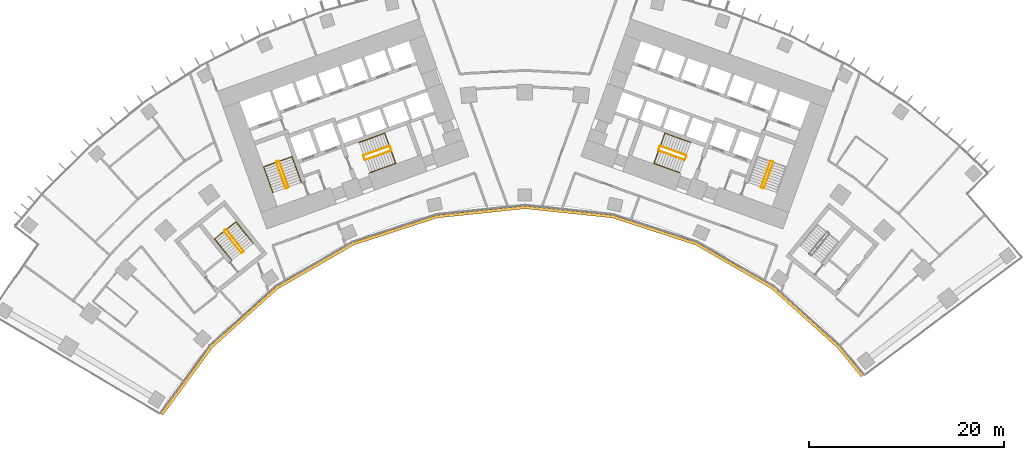
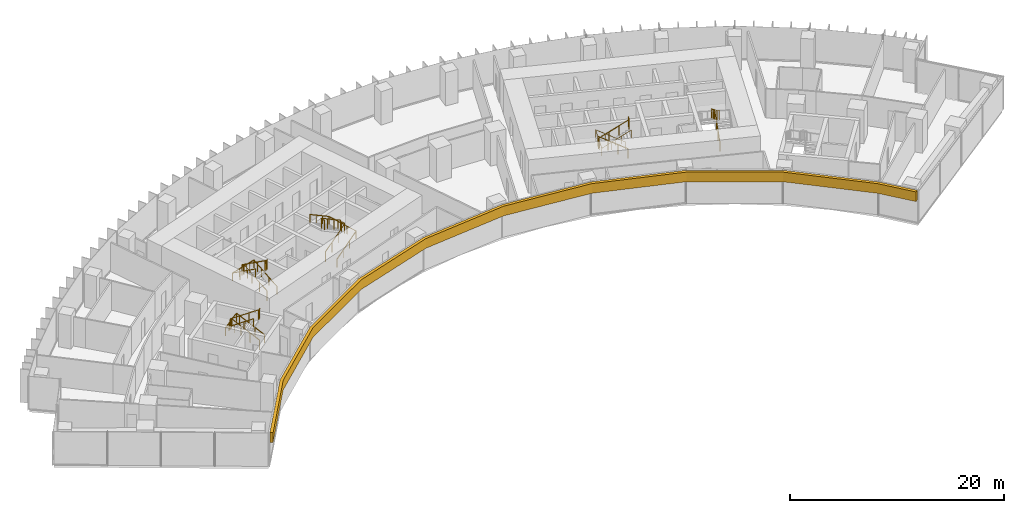
# One storey, part 23 of 24: 14 railings, 1 covering.
"""IFC4 building model written with IfcOpenShell, lengths in metres."""

from ifc_helpers import new_model, si_unit, direction, frame, origin, origin_2d, place, context, subcontext, project, spatial, polyline, circle, outline, extrude, material, layer, layer_set, type_object, element, save


model = new_model("IFC4")

# Units and contexts
model_context = context("Model", 3, precision=1e-05, world=origin(), true_north=direction((0.0, 1.0)))
body_context = subcontext(model_context, "Body", "Model", "MODEL_VIEW")
ifc_project = project(units=[si_unit("LENGTHUNIT", "METRE"), si_unit("AREAUNIT", "SQUARE_METRE"), si_unit("VOLUMEUNIT", "CUBIC_METRE"), si_unit("PLANEANGLEUNIT", "RADIAN"), si_unit("MASSUNIT", "GRAM", prefix="KILO")], contexts=[model_context])

# Site, building, storey
site_placement = place(None, origin())
site = spatial("IfcSite", under=ifc_project, at=site_placement, CompositionType="ELEMENT")
building_placement = place(site_placement, origin())
building = spatial("IfcBuilding", under=site, at=building_placement, Name="Stone Belt Terrace Tower", CompositionType="ELEMENT")
storey_placement = place(building_placement, frame((0.0, 0.0, 75.60009765625)))
storey = spatial("IfcBuildingStorey", under=building, at=storey_placement, Name="L18", CompositionType="ELEMENT", Elevation=75.60009765625)

# Railings
ifc_material_1 = material(Name="Structural steel C345", Category="steel")
railing_type_1 = type_object("IfcRailingType", Name="Stair guard 1100", PredefinedType="GUARDRAIL", material=ifc_material_1)
railing_1_placement = place(storey_placement, frame((-24.2119140625, 45.276123046875, 0.172607421875)))
element("IfcRailing", 1, at=railing_1_placement, inside=storey, type_object=railing_type_1, Name="L18 ST1A stair guard 1", PredefinedType="GUARDRAIL", context=body_context, shape_type="SweptSolid", body=[
    extrude(circle(Radius=0.02392578125, at=origin_2d()), frame((0.0, 0.0, 1.076171875), z_axis=(-0.288228637646, 0.800791768495, 0.525030280985), x_axis=(-0.940908529223, -0.338660803216, 0.0)), (0.0, 0.0, 1.0), 3.289794921875),
    extrude(circle(Radius=0.02392578125, at=origin_2d()), frame((-0.9482421875, 2.634521484375, 2.80322265625), z_axis=(-0.905209821074, 0.424964916, 0.0), x_axis=(-0.424964916, -0.905209821074, 0.0)), (0.0, 0.0, 1.0), 0.070556640625),
    extrude(circle(Radius=0.02392578125, at=origin_2d()), frame((-1.01220703125, 2.66455078125, 2.80322265625), z_axis=(-0.941105063269, -0.338114270461, 0.0), x_axis=(0.338114270461, -0.941105063269, 0.0)), (0.0, 0.0, 1.0), 0.199951171875),
    extrude(circle(Radius=0.02099609375, at=origin_2d()), origin(), (0.0, 0.0, 1.0), 1.052001953125),
    extrude(circle(Radius=0.02099609375, at=origin_2d()), frame((-0.316162109375, 0.878173828125, 0.57568359375)), (0.0, 0.0, 1.0), 1.052001953125),
    extrude(circle(Radius=0.02099609375, at=origin_2d()), frame((-0.632080078125, 1.75634765625, 1.151611328125)), (0.0, 0.0, 1.0), 1.052001953125),
    extrude(circle(Radius=0.02099609375, at=origin_2d()), frame((-0.9482421875, 2.634521484375, 1.727294921875)), (0.0, 0.0, 1.0), 1.052001953125),
    extrude(circle(Radius=0.02099609375, at=origin_2d()), frame((-1.01220703125, 2.66455078125, 1.727294921875)), (0.0, 0.0, 1.0), 1.052001953125),
    extrude(circle(Radius=0.02099609375, at=origin_2d()), frame((-1.200439453125, 2.596923828125, 1.727294921875)), (0.0, 0.0, 1.0), 1.052001953125),
])
railing_2_placement = place(storey_placement, frame((-25.4423828125, 47.80908203125, 2.072509765625)))
element("IfcRailing", 2, at=railing_2_placement, inside=storey, type_object=railing_type_1, Name="L18 ST1A stair guard 2", PredefinedType="GUARDRAIL", context=body_context, shape_type="SweptSolid", body=[
    extrude(circle(Radius=0.02392578125, at=origin_2d()), frame((0.0, 0.0, 1.076171875), z_axis=(0.288228637646, -0.800791768495, 0.525030280985), x_axis=(0.940908529223, 0.338660803216, 0.0)), (0.0, 0.0, 1.0), 3.289794921875),
    extrude(circle(Radius=0.02392578125, at=origin_2d()), frame((0.9482421875, -2.634521484375, 2.80322265625), z_axis=(0.903878284585, -0.427789722475, 0.0), x_axis=(0.427789722475, 0.903878284585, 0.0)), (0.0, 0.0, 1.0), 0.07080078125),
    extrude(circle(Radius=0.02392578125, at=origin_2d()), frame((1.01220703125, -2.664794921875, 2.80322265625), z_axis=(0.940575576748, 0.339584429008, 0.0), x_axis=(-0.339584429008, 0.940575576748, 0.0)), (0.0, 0.0, 1.0), 0.199951171875),
    extrude(circle(Radius=0.02099609375, at=origin_2d()), origin(), (0.0, 0.0, 1.0), 1.052001953125),
    extrude(circle(Radius=0.02099609375, at=origin_2d()), frame((0.316162109375, -0.878173828125, 0.57568359375)), (0.0, 0.0, 1.0), 1.052001953125),
    extrude(circle(Radius=0.02099609375, at=origin_2d()), frame((0.632080078125, -1.75634765625, 1.151611328125)), (0.0, 0.0, 1.0), 1.052001953125),
    extrude(circle(Radius=0.02099609375, at=origin_2d()), frame((0.9482421875, -2.634521484375, 1.727294921875)), (0.0, 0.0, 1.0), 1.052001953125),
    extrude(circle(Radius=0.02099609375, at=origin_2d()), frame((1.01220703125, -2.664794921875, 1.727294921875)), (0.0, 0.0, 1.0), 1.052001953125),
    extrude(circle(Radius=0.02099609375, at=origin_2d()), frame((1.2001953125, -2.596923828125, 1.727294921875)), (0.0, 0.0, 1.0), 1.052001953125),
])
railing_3_placement = place(storey_placement, frame((-16.33837890625, 48.056640625, 0.172607421875)))
element("IfcRailing", 3, at=railing_3_placement, inside=storey, type_object=railing_type_1, Name="L18 ST2A stair guard 1", PredefinedType="GUARDRAIL", context=body_context, shape_type="SweptSolid", body=[
    extrude(circle(Radius=0.02392578125, at=origin_2d()), frame((0.0, 0.0, 1.076171875), z_axis=(0.800808895155, 0.288160591223, 0.52504150989), x_axis=(-0.338583606334, 0.940936311087, 0.0)), (0.0, 0.0, 1.0), 3.289794921875),
    extrude(circle(Radius=0.02392578125, at=origin_2d()), frame((2.634521484375, 0.947998046875, 2.80322265625), z_axis=(0.427789722475, 0.903878284585, 0.0), x_axis=(-0.903878284585, 0.427789722475, 0.0)), (0.0, 0.0, 1.0), 0.07080078125),
    extrude(circle(Radius=0.02392578125, at=origin_2d()), frame((2.664794921875, 1.011962890625, 2.80322265625), z_axis=(-0.338654645739, 0.940910745459, 0.0), x_axis=(-0.940910745459, -0.338654645739, 0.0)), (0.0, 0.0, 1.0), 0.400146484375),
    extrude(circle(Radius=0.02099609375, at=origin_2d()), origin(), (0.0, 0.0, 1.0), 1.052001953125),
    extrude(circle(Radius=0.02099609375, at=origin_2d()), frame((0.878173828125, 0.31591796875, 0.57568359375)), (0.0, 0.0, 1.0), 1.052001953125),
    extrude(circle(Radius=0.02099609375, at=origin_2d()), frame((1.75634765625, 0.632080078125, 1.151611328125)), (0.0, 0.0, 1.0), 1.052001953125),
    extrude(circle(Radius=0.02099609375, at=origin_2d()), frame((2.634521484375, 0.947998046875, 1.727294921875)), (0.0, 0.0, 1.0), 1.052001953125),
    extrude(circle(Radius=0.02099609375, at=origin_2d()), frame((2.664794921875, 1.011962890625, 1.727294921875)), (0.0, 0.0, 1.0), 1.052001953125),
    extrude(circle(Radius=0.02099609375, at=origin_2d()), frame((2.529296875, 1.388427734375, 1.727294921875)), (0.0, 0.0, 1.0), 1.052001953125),
])
railing_4_placement = place(storey_placement, frame((-13.873046875, 49.47509765625, 2.072509765625)))
element("IfcRailing", 4, at=railing_4_placement, inside=storey, type_object=railing_type_1, Name="L18 ST2A stair guard 2", PredefinedType="GUARDRAIL", context=body_context, shape_type="SweptSolid", body=[
    extrude(circle(Radius=0.02392578125, at=origin_2d()), frame((0.0, 0.0, 1.076171875), z_axis=(-0.800808895155, -0.288160591223, 0.52504150989), x_axis=(0.338583606334, -0.940936311087, 0.0)), (0.0, 0.0, 1.0), 3.289794921875),
    extrude(circle(Radius=0.02392578125, at=origin_2d()), frame((-2.634521484375, -0.947998046875, 2.80322265625), z_axis=(-0.427789722475, -0.903878284585, 0.0), x_axis=(0.903878284585, -0.427789722475, 0.0)), (0.0, 0.0, 1.0), 0.07080078125),
    extrude(circle(Radius=0.02392578125, at=origin_2d()), frame((-2.664794921875, -1.011962890625, 2.80322265625), z_axis=(0.338654645739, -0.940910745459, 0.0), x_axis=(0.940910745459, 0.338654645739, 0.0)), (0.0, 0.0, 1.0), 0.400146484375),
    extrude(circle(Radius=0.02099609375, at=origin_2d()), origin(), (0.0, 0.0, 1.0), 1.052001953125),
    extrude(circle(Radius=0.02099609375, at=origin_2d()), frame((-0.878173828125, -0.31591796875, 0.57568359375)), (0.0, 0.0, 1.0), 1.052001953125),
    extrude(circle(Radius=0.02099609375, at=origin_2d()), frame((-1.75634765625, -0.632080078125, 1.151611328125)), (0.0, 0.0, 1.0), 1.052001953125),
    extrude(circle(Radius=0.02099609375, at=origin_2d()), frame((-2.634521484375, -0.947998046875, 1.727294921875)), (0.0, 0.0, 1.0), 1.052001953125),
    extrude(circle(Radius=0.02099609375, at=origin_2d()), frame((-2.664794921875, -1.011962890625, 1.727294921875)), (0.0, 0.0, 1.0), 1.052001953125),
    extrude(circle(Radius=0.02099609375, at=origin_2d()), frame((-2.529296875, -1.388427734375, 1.727294921875)), (0.0, 0.0, 1.0), 1.052001953125),
])
railing_5_placement = place(storey_placement, frame((24.494140625, 45.174560546875, 0.172607421875)))
element("IfcRailing", 5, at=railing_5_placement, inside=storey, type_object=railing_type_1, Name="L18 ST1B stair guard 1", PredefinedType="GUARDRAIL", context=body_context, shape_type="SweptSolid", body=[
    extrude(circle(Radius=0.02392578125, at=origin_2d()), frame((0.0, 0.0, 1.076171875), z_axis=(0.288228637646, 0.800791768495, 0.525030280985), x_axis=(-0.940908529223, 0.338660803216, 0.0)), (0.0, 0.0, 1.0), 3.289794921875),
    extrude(circle(Radius=0.02392578125, at=origin_2d()), frame((0.9482421875, 2.634521484375, 2.80322265625), z_axis=(-0.424964916, 0.905209821074, 0.0), x_axis=(-0.905209821074, -0.424964916, 0.0)), (0.0, 0.0, 1.0), 0.070556640625),
    extrude(circle(Radius=0.02392578125, at=origin_2d()), frame((0.918212890625, 2.698486328125, 2.80322265625), z_axis=(-0.941105063269, 0.338114270461, 0.0), x_axis=(-0.338114270461, -0.941105063269, 0.0)), (0.0, 0.0, 1.0), 0.199951171875),
    extrude(circle(Radius=0.02099609375, at=origin_2d()), origin(), (0.0, 0.0, 1.0), 1.052001953125),
    extrude(circle(Radius=0.02099609375, at=origin_2d()), frame((0.316162109375, 0.878173828125, 0.57568359375)), (0.0, 0.0, 1.0), 1.052001953125),
    extrude(circle(Radius=0.02099609375, at=origin_2d()), frame((0.632080078125, 1.75634765625, 1.151611328125)), (0.0, 0.0, 1.0), 1.052001953125),
    extrude(circle(Radius=0.02099609375, at=origin_2d()), frame((0.9482421875, 2.634521484375, 1.727294921875)), (0.0, 0.0, 1.0), 1.052001953125),
    extrude(circle(Radius=0.02099609375, at=origin_2d()), frame((0.918212890625, 2.698486328125, 1.727294921875)), (0.0, 0.0, 1.0), 1.052001953125),
    extrude(circle(Radius=0.02099609375, at=origin_2d()), frame((0.72998046875, 2.76611328125, 1.727294921875)), (0.0, 0.0, 1.0), 1.052001953125),
])
railing_6_placement = place(storey_placement, frame((25.16015625, 47.91064453125, 2.072509765625)))
element("IfcRailing", 6, at=railing_6_placement, inside=storey, type_object=railing_type_1, Name="L18 ST1B stair guard 2", PredefinedType="GUARDRAIL", context=body_context, shape_type="SweptSolid", body=[
    extrude(circle(Radius=0.02392578125, at=origin_2d()), frame((0.0, 0.0, 1.076171875), z_axis=(-0.288228637646, -0.800791768495, 0.525030280985), x_axis=(0.940908529223, -0.338660803216, 0.0)), (0.0, 0.0, 1.0), 3.289794921875),
    extrude(circle(Radius=0.02392578125, at=origin_2d()), frame((-0.9482421875, -2.634521484375, 2.80322265625), z_axis=(0.427789722475, -0.903878284585, 0.0), x_axis=(0.903878284585, 0.427789722475, 0.0)), (0.0, 0.0, 1.0), 0.07080078125),
    extrude(circle(Radius=0.02392578125, at=origin_2d()), frame((-0.91796875, -2.698486328125, 2.80322265625), z_axis=(0.940575576748, -0.339584429008, 0.0), x_axis=(0.339584429008, 0.940575576748, 0.0)), (0.0, 0.0, 1.0), 0.199951171875),
    extrude(circle(Radius=0.02099609375, at=origin_2d()), origin(), (0.0, 0.0, 1.0), 1.052001953125),
    extrude(circle(Radius=0.02099609375, at=origin_2d()), frame((-0.316162109375, -0.878173828125, 0.57568359375)), (0.0, 0.0, 1.0), 1.052001953125),
    extrude(circle(Radius=0.02099609375, at=origin_2d()), frame((-0.632080078125, -1.75634765625, 1.151611328125)), (0.0, 0.0, 1.0), 1.052001953125),
    extrude(circle(Radius=0.02099609375, at=origin_2d()), frame((-0.9482421875, -2.634521484375, 1.727294921875)), (0.0, 0.0, 1.0), 1.052001953125),
    extrude(circle(Radius=0.02099609375, at=origin_2d()), frame((-0.91796875, -2.698486328125, 1.727294921875)), (0.0, 0.0, 1.0), 1.052001953125),
    extrude(circle(Radius=0.02099609375, at=origin_2d()), frame((-0.72998046875, -2.766357421875, 1.727294921875)), (0.0, 0.0, 1.0), 1.052001953125),
])
railing_7_placement = place(storey_placement, frame((16.507568359375, 48.527099609375, 0.172607421875)))
element("IfcRailing", 7, at=railing_7_placement, inside=storey, type_object=railing_type_1, Name="L18 ST2B stair guard 1", PredefinedType="GUARDRAIL", context=body_context, shape_type="SweptSolid", body=[
    extrude(circle(Radius=0.02392578125, at=origin_2d()), frame((0.0, 0.0, 1.076171875), z_axis=(-0.800808895155, 0.288160591223, 0.52504150989), x_axis=(-0.338583606334, -0.940936311087, 0.0)), (0.0, 0.0, 1.0), 3.289794921875),
    extrude(circle(Radius=0.02392578125, at=origin_2d()), frame((-2.634521484375, 0.947998046875, 2.80322265625), z_axis=(-0.905209821074, -0.424964916, 0.0), x_axis=(0.424964916, -0.905209821074, 0.0)), (0.0, 0.0, 1.0), 0.070556640625),
    extrude(circle(Radius=0.02392578125, at=origin_2d()), frame((-2.698486328125, 0.91796875, 2.80322265625), z_axis=(-0.338654645739, -0.940910745459, 0.0), x_axis=(0.940910745459, -0.338654645739, 0.0)), (0.0, 0.0, 1.0), 0.400146484375),
    extrude(circle(Radius=0.02099609375, at=origin_2d()), origin(), (0.0, 0.0, 1.0), 1.052001953125),
    extrude(circle(Radius=0.02099609375, at=origin_2d()), frame((-0.878173828125, 0.31591796875, 0.57568359375)), (0.0, 0.0, 1.0), 1.052001953125),
    extrude(circle(Radius=0.02099609375, at=origin_2d()), frame((-1.75634765625, 0.632080078125, 1.151611328125)), (0.0, 0.0, 1.0), 1.052001953125),
    extrude(circle(Radius=0.02099609375, at=origin_2d()), frame((-2.634521484375, 0.947998046875, 1.727294921875)), (0.0, 0.0, 1.0), 1.052001953125),
    extrude(circle(Radius=0.02099609375, at=origin_2d()), frame((-2.698486328125, 0.91796875, 1.727294921875)), (0.0, 0.0, 1.0), 1.052001953125),
    extrude(circle(Radius=0.02099609375, at=origin_2d()), frame((-2.833984375, 0.54150390625, 1.727294921875)), (0.0, 0.0, 1.0), 1.052001953125),
])
railing_8_placement = place(storey_placement, frame((13.703857421875, 49.004638671875, 2.072509765625)))
element("IfcRailing", 8, at=railing_8_placement, inside=storey, type_object=railing_type_1, Name="L18 ST2B stair guard 2", PredefinedType="GUARDRAIL", context=body_context, shape_type="SweptSolid", body=[
    extrude(circle(Radius=0.02392578125, at=origin_2d()), frame((0.0, 0.0, 1.076171875), z_axis=(0.800808895155, -0.288160591223, 0.52504150989), x_axis=(0.338583606334, 0.940936311087, 0.0)), (0.0, 0.0, 1.0), 3.289794921875),
    extrude(circle(Radius=0.02392578125, at=origin_2d()), frame((2.634521484375, -0.947998046875, 2.80322265625), z_axis=(0.905209821074, 0.424964916, 0.0), x_axis=(-0.424964916, 0.905209821074, 0.0)), (0.0, 0.0, 1.0), 0.070556640625),
    extrude(circle(Radius=0.02392578125, at=origin_2d()), frame((2.698486328125, -0.91796875, 2.80322265625), z_axis=(0.338654645739, 0.940910745459, 0.0), x_axis=(-0.940910745459, 0.338654645739, 0.0)), (0.0, 0.0, 1.0), 0.400146484375),
    extrude(circle(Radius=0.02099609375, at=origin_2d()), origin(), (0.0, 0.0, 1.0), 1.052001953125),
    extrude(circle(Radius=0.02099609375, at=origin_2d()), frame((0.878173828125, -0.31591796875, 0.57568359375)), (0.0, 0.0, 1.0), 1.052001953125),
    extrude(circle(Radius=0.02099609375, at=origin_2d()), frame((1.75634765625, -0.632080078125, 1.151611328125)), (0.0, 0.0, 1.0), 1.052001953125),
    extrude(circle(Radius=0.02099609375, at=origin_2d()), frame((2.634521484375, -0.947998046875, 1.727294921875)), (0.0, 0.0, 1.0), 1.052001953125),
    extrude(circle(Radius=0.02099609375, at=origin_2d()), frame((2.698486328125, -0.91796875, 1.727294921875)), (0.0, 0.0, 1.0), 1.052001953125),
    extrude(circle(Radius=0.02099609375, at=origin_2d()), frame((2.833984375, -0.54150390625, 1.727294921875)), (0.0, 0.0, 1.0), 1.052001953125),
])
railing_9_placement = place(storey_placement, frame((-28.814208984375, 38.734619140625, 0.172607421875)))
element("IfcRailing", 9, at=railing_9_placement, inside=storey, type_object=railing_type_1, Name="L18 ST3A stair guard 1", PredefinedType="GUARDRAIL", context=body_context, shape_type="SweptSolid", body=[
    extrude(circle(Radius=0.02392578125, at=origin_2d()), frame((0.0, 0.0, 1.076171875), z_axis=(-0.530306321799, 0.665665785969, 0.525037395288), x_axis=(-0.782143211408, -0.623098705543, 0.0)), (0.0, 0.0, 1.0), 3.289794921875),
    extrude(circle(Radius=0.02392578125, at=origin_2d()), frame((-1.74462890625, 2.18994140625, 2.80322265625), z_axis=(-0.993883734674, 0.110431526075, 0.0), x_axis=(-0.110431526075, -0.993883734674, 0.0)), (0.0, 0.0, 1.0), 0.07080078125),
    extrude(circle(Radius=0.02392578125, at=origin_2d()), frame((-1.81494140625, 2.19775390625, 2.80322265625), z_axis=(-0.782533463299, -0.622608527742, 0.0), x_axis=(0.622608527742, -0.782533463299, 0.0)), (0.0, 0.0, 1.0), 0.199951171875),
    extrude(circle(Radius=0.02099609375, at=origin_2d()), origin(), (0.0, 0.0, 1.0), 1.052001953125),
    extrude(circle(Radius=0.02099609375, at=origin_2d()), frame((-0.58154296875, 0.72998046875, 0.57568359375)), (0.0, 0.0, 1.0), 1.052001953125),
    extrude(circle(Radius=0.02099609375, at=origin_2d()), frame((-1.1630859375, 1.4599609375, 1.151611328125)), (0.0, 0.0, 1.0), 1.052001953125),
    extrude(circle(Radius=0.02099609375, at=origin_2d()), frame((-1.74462890625, 2.18994140625, 1.727294921875)), (0.0, 0.0, 1.0), 1.052001953125),
    extrude(circle(Radius=0.02099609375, at=origin_2d()), frame((-1.81494140625, 2.19775390625, 1.727294921875)), (0.0, 0.0, 1.0), 1.052001953125),
    extrude(circle(Radius=0.02099609375, at=origin_2d()), frame((-1.971435546875, 2.0732421875, 1.727294921875)), (0.0, 0.0, 1.0), 1.052001953125),
])
railing_10_placement = place(storey_placement, frame((-30.793701171875, 40.737548828125, 2.072509765625)))
element("IfcRailing", 10, at=railing_10_placement, inside=storey, type_object=railing_type_1, Name="L18 ST3A stair guard 2", PredefinedType="GUARDRAIL", context=body_context, shape_type="SweptSolid", body=[
    extrude(circle(Radius=0.02392578125, at=origin_2d()), frame((0.0, 0.0, 1.076171875), z_axis=(0.530359659125, -0.665639588968, 0.525016732659), x_axis=(0.782100716982, 0.62315204284, 0.0)), (0.0, 0.0, 1.0), 3.2900390625),
    extrude(circle(Radius=0.02392578125, at=origin_2d()), frame((1.744873046875, -2.18994140625, 2.80322265625), z_axis=(0.993499272973, -0.113838458361, 0.0), x_axis=(0.113838458361, 0.993499272973, 0.0)), (0.0, 0.0, 1.0), 0.07080078125),
    extrude(circle(Radius=0.02392578125, at=origin_2d()), frame((1.815185546875, -2.197998046875, 2.80322265625), z_axis=(0.781464082609, 0.623950228458, 0.0), x_axis=(-0.623950228458, 0.781464082609, 0.0)), (0.0, 0.0, 1.0), 0.199951171875),
    extrude(circle(Radius=0.02099609375, at=origin_2d()), origin(), (0.0, 0.0, 1.0), 1.052001953125),
    extrude(circle(Radius=0.02099609375, at=origin_2d()), frame((0.58154296875, -0.72998046875, 0.57568359375)), (0.0, 0.0, 1.0), 1.052001953125),
    extrude(circle(Radius=0.02099609375, at=origin_2d()), frame((1.163330078125, -1.4599609375, 1.151611328125)), (0.0, 0.0, 1.0), 1.052001953125),
    extrude(circle(Radius=0.02099609375, at=origin_2d()), frame((1.744873046875, -2.18994140625, 1.727294921875)), (0.0, 0.0, 1.0), 1.052001953125),
    extrude(circle(Radius=0.02099609375, at=origin_2d()), frame((1.815185546875, -2.197998046875, 1.727294921875)), (0.0, 0.0, 1.0), 1.052001953125),
    extrude(circle(Radius=0.02099609375, at=origin_2d()), frame((1.971435546875, -2.0732421875, 1.727294921875)), (0.0, 0.0, 1.0), 1.052001953125),
])
railing_type_2 = type_object("IfcRailingType", Name="Stair handrail 900", PredefinedType="HANDRAIL", material=ifc_material_1)
railing_11_placement = place(storey_placement, frame((-22.894775390625, 45.750244140625, 0.172607421875)))
element("IfcRailing", 11, at=railing_11_placement, inside=storey, type_object=railing_type_2, Name="L18 ST1A stair handrail 1", PredefinedType="HANDRAIL", context=body_context, shape_type="SweptSolid", body=[
    extrude(circle(Radius=0.02392578125, at=origin_2d()), frame((0.0, 0.0, 0.8759765625), z_axis=(-0.288160591223, 0.800808895155, 0.52504150989), x_axis=(-0.940936311087, -0.338583606334, 0.0)), (0.0, 0.0, 1.0), 3.289794921875),
    extrude(circle(Radius=0.02392578125, at=origin_2d()), frame((-0.947998046875, 2.634521484375, 2.60302734375), z_axis=(-0.939464517435, -0.338106580597, 0.055591012205), x_axis=(0.338630230244, -0.940919532779, 0.0)), (0.0, 0.0, 1.0), 3.10498046875),
    extrude(circle(Radius=0.02392578125, at=origin_2d()), frame((-3.864990234375, 1.584716796875, 2.77587890625), z_axis=(0.288228637646, -0.800791768495, 0.525030280985), x_axis=(0.940908529223, 0.338660803216, 0.0)), (0.0, 0.0, 1.0), 3.289794921875),
    extrude(circle(Radius=0.02099609375, at=origin_2d()), origin(), (0.0, 0.0, 1.0), 0.851806640625),
    extrude(circle(Radius=0.02099609375, at=origin_2d()), frame((-0.31591796875, 0.878173828125, 0.57568359375)), (0.0, 0.0, 1.0), 0.851806640625),
    extrude(circle(Radius=0.02099609375, at=origin_2d()), frame((-0.632080078125, 1.75634765625, 1.151611328125)), (0.0, 0.0, 1.0), 0.851806640625),
    extrude(circle(Radius=0.02099609375, at=origin_2d()), frame((-0.947998046875, 2.634521484375, 1.727294921875)), (0.0, 0.0, 1.0), 0.851806640625),
    extrude(circle(Radius=0.02099609375, at=origin_2d()), frame((-1.92041015625, 2.28466796875, 1.784912109375)), (0.0, 0.0, 1.0), 0.851806640625),
    extrude(circle(Radius=0.02099609375, at=origin_2d()), frame((-2.892578125, 1.9345703125, 1.84228515625)), (0.0, 0.0, 1.0), 0.851806640625),
    extrude(circle(Radius=0.02099609375, at=origin_2d()), frame((-3.864990234375, 1.584716796875, 1.89990234375)), (0.0, 0.0, 1.0), 0.851806640625),
    extrude(circle(Radius=0.02099609375, at=origin_2d()), frame((-3.548828125, 0.70654296875, 2.4755859375)), (0.0, 0.0, 1.0), 0.851806640625),
    extrude(circle(Radius=0.02099609375, at=origin_2d()), frame((-3.23291015625, -0.171630859375, 3.051513671875)), (0.0, 0.0, 1.0), 0.851806640625),
    extrude(circle(Radius=0.02099609375, at=origin_2d()), frame((-2.916748046875, -1.0498046875, 3.627197265625)), (0.0, 0.0, 1.0), 0.851806640625),
])
railing_12_placement = place(storey_placement, frame((-15.8642578125, 46.7392578125, 0.172607421875)))
element("IfcRailing", 12, at=railing_12_placement, inside=storey, type_object=railing_type_2, Name="L18 ST2A stair handrail 1", PredefinedType="HANDRAIL", context=body_context, shape_type="SweptSolid", body=[
    extrude(circle(Radius=0.02392578125, at=origin_2d()), frame((0.0, 0.0, 0.8759765625), z_axis=(0.800791768495, 0.288228637646, 0.525030280985), x_axis=(-0.338660803216, 0.940908529223, 0.0)), (0.0, 0.0, 1.0), 3.289794921875),
    extrude(circle(Radius=0.02392578125, at=origin_2d()), frame((2.634521484375, 0.9482421875, 2.60302734375), z_axis=(-0.338160254016, 0.939637778147, 0.052234935458), x_axis=(-0.940922302781, -0.338622533404, 0.0)), (0.0, 0.0, 1.0), 3.304443359375),
    extrude(circle(Radius=0.02392578125, at=origin_2d()), frame((1.51708984375, 4.05322265625, 2.77587890625), z_axis=(-0.800791768495, -0.288228637646, 0.525030280985), x_axis=(0.338660803216, -0.940908529223, 0.0)), (0.0, 0.0, 1.0), 3.289794921875),
    extrude(circle(Radius=0.02099609375, at=origin_2d()), origin(), (0.0, 0.0, 1.0), 0.851806640625),
    extrude(circle(Radius=0.02099609375, at=origin_2d()), frame((0.878173828125, 0.316162109375, 0.57568359375)), (0.0, 0.0, 1.0), 0.851806640625),
    extrude(circle(Radius=0.02099609375, at=origin_2d()), frame((1.75634765625, 0.632080078125, 1.151611328125)), (0.0, 0.0, 1.0), 0.851806640625),
    extrude(circle(Radius=0.02099609375, at=origin_2d()), frame((2.634521484375, 0.9482421875, 1.727294921875)), (0.0, 0.0, 1.0), 0.851806640625),
    extrude(circle(Radius=0.02099609375, at=origin_2d()), frame((2.261962890625, 1.983154296875, 1.784912109375)), (0.0, 0.0, 1.0), 0.851806640625),
    extrude(circle(Radius=0.02099609375, at=origin_2d()), frame((1.8896484375, 3.018310546875, 1.84228515625)), (0.0, 0.0, 1.0), 0.851806640625),
    extrude(circle(Radius=0.02099609375, at=origin_2d()), frame((1.51708984375, 4.05322265625, 1.89990234375)), (0.0, 0.0, 1.0), 0.851806640625),
    extrude(circle(Radius=0.02099609375, at=origin_2d()), frame((0.638916015625, 3.737060546875, 2.4755859375)), (0.0, 0.0, 1.0), 0.851806640625),
    extrude(circle(Radius=0.02099609375, at=origin_2d()), frame((-0.2392578125, 3.421142578125, 3.051513671875)), (0.0, 0.0, 1.0), 0.851806640625),
    extrude(circle(Radius=0.02099609375, at=origin_2d()), frame((-1.117431640625, 3.10498046875, 3.627197265625)), (0.0, 0.0, 1.0), 0.851806640625),
])
railing_13_placement = place(storey_placement, frame((16.981689453125, 49.84423828125, 0.172607421875)))
element("IfcRailing", 13, at=railing_13_placement, inside=storey, type_object=railing_type_2, Name="L18 ST2B stair handrail 1", PredefinedType="HANDRAIL", context=body_context, shape_type="SweptSolid", body=[
    extrude(circle(Radius=0.02392578125, at=origin_2d()), frame((0.0, 0.0, 0.8759765625), z_axis=(-0.800791768495, 0.288228637646, 0.525030280985), x_axis=(-0.338660803216, -0.940908529223, 0.0)), (0.0, 0.0, 1.0), 3.289794921875),
    extrude(circle(Radius=0.02392578125, at=origin_2d()), frame((-2.634521484375, 0.9482421875, 2.60302734375), z_axis=(-0.338160254016, -0.939637778147, 0.052234935458), x_axis=(0.940922302781, -0.338622533404, 0.0)), (0.0, 0.0, 1.0), 3.304443359375),
    extrude(circle(Radius=0.02392578125, at=origin_2d()), frame((-3.751953125, -2.15673828125, 2.77587890625), z_axis=(0.800791768495, -0.288228637646, 0.525030280985), x_axis=(0.338660803216, 0.940908529223, 0.0)), (0.0, 0.0, 1.0), 3.289794921875),
    extrude(circle(Radius=0.02099609375, at=origin_2d()), origin(), (0.0, 0.0, 1.0), 0.851806640625),
    extrude(circle(Radius=0.02099609375, at=origin_2d()), frame((-0.878173828125, 0.316162109375, 0.57568359375)), (0.0, 0.0, 1.0), 0.851806640625),
    extrude(circle(Radius=0.02099609375, at=origin_2d()), frame((-1.75634765625, 0.632080078125, 1.151611328125)), (0.0, 0.0, 1.0), 0.851806640625),
    extrude(circle(Radius=0.02099609375, at=origin_2d()), frame((-2.634521484375, 0.9482421875, 1.727294921875)), (0.0, 0.0, 1.0), 0.851806640625),
    extrude(circle(Radius=0.02099609375, at=origin_2d()), frame((-3.007080078125, -0.086669921875, 1.784912109375)), (0.0, 0.0, 1.0), 0.851806640625),
    extrude(circle(Radius=0.02099609375, at=origin_2d()), frame((-3.37939453125, -1.121826171875, 1.84228515625)), (0.0, 0.0, 1.0), 0.851806640625),
    extrude(circle(Radius=0.02099609375, at=origin_2d()), frame((-3.751953125, -2.15673828125, 1.89990234375)), (0.0, 0.0, 1.0), 0.851806640625),
    extrude(circle(Radius=0.02099609375, at=origin_2d()), frame((-2.873779296875, -2.472900390625, 2.4755859375)), (0.0, 0.0, 1.0), 0.851806640625),
    extrude(circle(Radius=0.02099609375, at=origin_2d()), frame((-1.99560546875, -2.788818359375, 3.051513671875)), (0.0, 0.0, 1.0), 0.851806640625),
    extrude(circle(Radius=0.02099609375, at=origin_2d()), frame((-1.117431640625, -3.10498046875, 3.627197265625)), (0.0, 0.0, 1.0), 0.851806640625),
])
railing_14_placement = place(storey_placement, frame((-27.836669921875, 39.513427734375, 0.172607421875)))
element("IfcRailing", 14, at=railing_14_placement, inside=storey, type_object=railing_type_2, Name="L18 ST3A stair handrail 1", PredefinedType="HANDRAIL", context=body_context, shape_type="SweptSolid", body=[
    extrude(circle(Radius=0.02392578125, at=origin_2d()), frame((0.0, 0.0, 0.8759765625), z_axis=(-0.530306321799, 0.665665785969, 0.525037395288), x_axis=(-0.782143211408, -0.623098705543, 0.0)), (0.0, 0.0, 1.0), 3.289794921875),
    extrude(circle(Radius=0.02392578125, at=origin_2d()), frame((-1.74462890625, 2.18994140625, 2.60302734375), z_axis=(-0.780661215256, -0.62191806513, 0.061530376721), x_axis=(0.623098705543, -0.782143211408, 0.0)), (0.0, 0.0, 1.0), 2.80517578125),
    extrude(circle(Radius=0.02392578125, at=origin_2d()), frame((-3.9345703125, 0.4453125, 2.77587890625), z_axis=(0.530306321799, -0.665665785969, 0.525037395288), x_axis=(0.782143211408, 0.623098705543, 0.0)), (0.0, 0.0, 1.0), 3.289794921875),
    extrude(circle(Radius=0.02099609375, at=origin_2d()), origin(), (0.0, 0.0, 1.0), 0.851806640625),
    extrude(circle(Radius=0.02099609375, at=origin_2d()), frame((-0.58154296875, 0.72998046875, 0.57568359375)), (0.0, 0.0, 1.0), 0.851806640625),
    extrude(circle(Radius=0.02099609375, at=origin_2d()), frame((-1.1630859375, 1.4599609375, 1.151611328125)), (0.0, 0.0, 1.0), 0.851806640625),
    extrude(circle(Radius=0.02099609375, at=origin_2d()), frame((-1.74462890625, 2.18994140625, 1.727294921875)), (0.0, 0.0, 1.0), 0.851806640625),
    extrude(circle(Radius=0.02099609375, at=origin_2d()), frame((-2.474609375, 1.6083984375, 1.784912109375)), (0.0, 0.0, 1.0), 0.851806640625),
    extrude(circle(Radius=0.02099609375, at=origin_2d()), frame((-3.20458984375, 1.02685546875, 1.84228515625)), (0.0, 0.0, 1.0), 0.851806640625),
    extrude(circle(Radius=0.02099609375, at=origin_2d()), frame((-3.9345703125, 0.4453125, 1.89990234375)), (0.0, 0.0, 1.0), 0.851806640625),
    extrude(circle(Radius=0.02099609375, at=origin_2d()), frame((-3.35302734375, -0.28466796875, 2.4755859375)), (0.0, 0.0, 1.0), 0.851806640625),
    extrude(circle(Radius=0.02099609375, at=origin_2d()), frame((-2.771484375, -1.0146484375, 3.051513671875)), (0.0, 0.0, 1.0), 0.851806640625),
    extrude(circle(Radius=0.02099609375, at=origin_2d()), frame((-2.18994140625, -1.74462890625, 3.627197265625)), (0.0, 0.0, 1.0), 0.851806640625),
])

# Covering
ifc_material_2 = material(Name="Terracotta coloured glazed ceramic", Category="masonry")
ifc_layer = layer(ifc_material_2, 0.300048828125)
ifc_layer_set = layer_set([ifc_layer], Name="Terracotta spandrel band 300 x 1100")
covering_type = type_object("IfcCoveringType", Name="Terracotta spandrel band 300 x 1100", PredefinedType="CLADDING", material=ifc_layer_set)
covering_placement = place(storey_placement, frame((0.0, 0.0, 2.699951171875)))
element("IfcCovering", 15, at=covering_placement, inside=storey, type_object=covering_type, Name="BAND L18", PredefinedType="CLADDING", context=body_context, shape_type="SweptSolid", body=[
    extrude(outline(polyline([(-37.3134765625, 22.068115234375), (-32.215087890625, 29.006103515625), (-25.47998046875, 35.0703125), (-17.631591796875, 39.6015625), (-9.0126953125, 42.40185546875), (0.0, 43.34912109375), (9.0126953125, 42.40185546875), (17.631591796875, 39.6015625), (25.47998046875, 35.0703125), (32.218017578125, 29.003173828125), (34.68359375, 26.005615234375), (34.451904296875, 25.81494140625), (32.000732421875, 28.79541015625), (25.302734375, 34.826171875), (17.509033203125, 39.325927734375), (8.9501953125, 42.10693359375), (0.0, 43.047607421875), (-8.9501953125, 42.10693359375), (-17.509033203125, 39.325927734375), (-25.302734375, 34.826171875), (-31.991455078125, 28.8037109375), (-37.071533203125, 21.890380859375), (-37.3134765625, 22.068115234375)])), origin(), (0.0, 0.0, 1.0), 1.099853515625),
])

save(model, "model.ifc")
